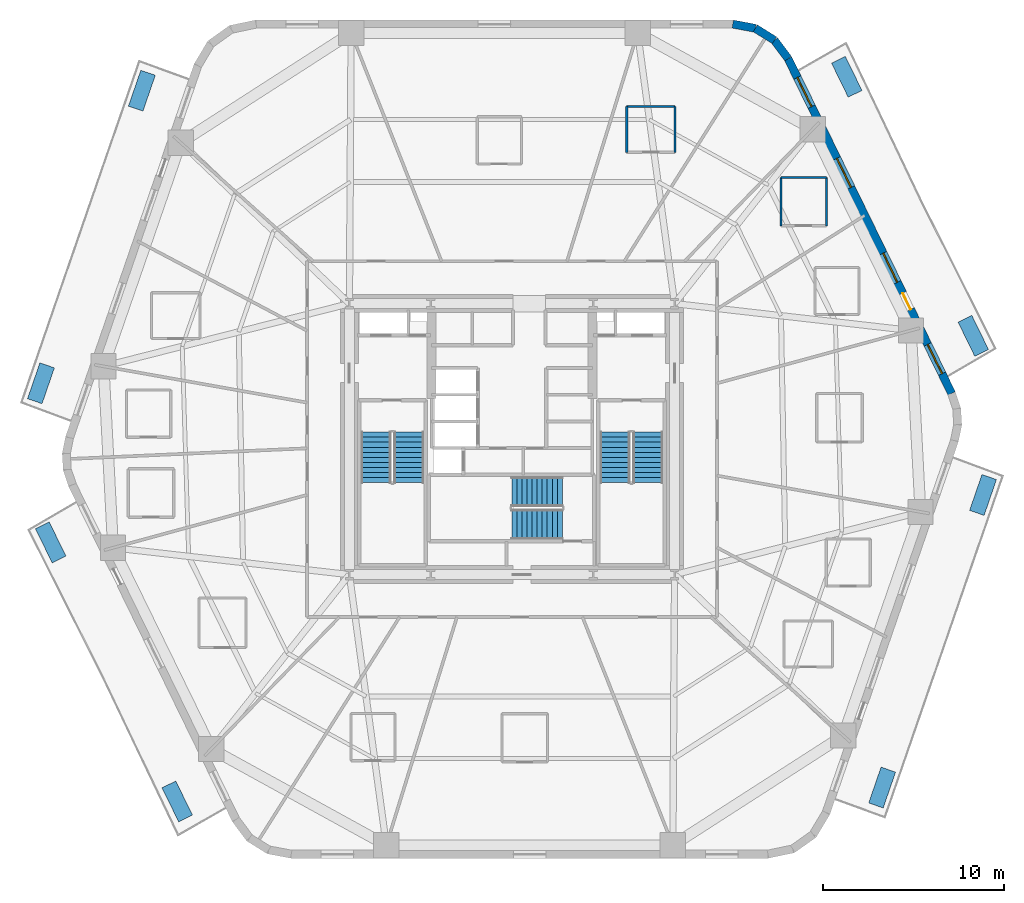
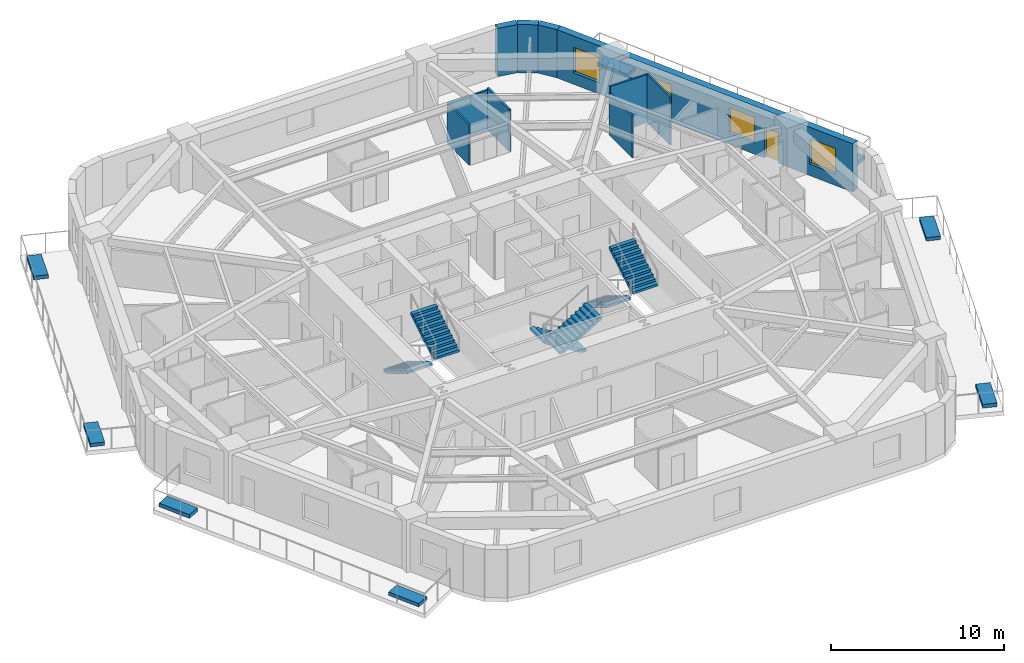
# One storey, part 7 of 10: 10 walls, 8 discrete accessories, 6 stair flights, 4 windows, 1 door, 5 openings, 3 elements without a shape of their own.
"""IFC4 building model written with IfcOpenShell, lengths in metres."""

from ifc_helpers import new_model, si_unit, direction, frame, frame_2d, origin, origin_2d, place, context, subcontext, project, spatial, polyline, rectangle, outline, extrude, material, layer, layer_set, type_object, element, fill, aggregate, save


model = new_model("IFC4")

# Units and contexts
model_context = context("Model", 3, precision=1e-05, world=origin(), true_north=direction((0.0, 1.0)))
body_context = subcontext(model_context, "Body", "Model", "MODEL_VIEW")
ifc_project = project(units=[si_unit("LENGTHUNIT", "METRE"), si_unit("AREAUNIT", "SQUARE_METRE"), si_unit("VOLUMEUNIT", "CUBIC_METRE"), si_unit("PLANEANGLEUNIT", "RADIAN"), si_unit("MASSUNIT", "GRAM", prefix="KILO")], contexts=[model_context])

# Site, building, storey
site_placement = place(None, origin())
site = spatial("IfcSite", under=ifc_project, at=site_placement, CompositionType="ELEMENT")
building_placement = place(site_placement, origin())
building = spatial("IfcBuilding", under=site, at=building_placement, Name="Kilnhurst Terrace Hotel", CompositionType="ELEMENT")
storey_placement = place(building_placement, frame((0.0, 0.0, 78.60009765625)))
storey = spatial("IfcBuildingStorey", under=building, at=storey_placement, Name="L18", CompositionType="ELEMENT", Elevation=78.60009765625)

# Walls
ifc_material_1 = material(Name="Precast concrete C40/50", Category="concrete")
ifc_layer_1 = layer(ifc_material_1, 0.449951171875, Name="Precast concrete C40/50")
ifc_layer_set_1 = layer_set([ifc_layer_1], Name="Precast concrete C40/50")
wall_type_1 = type_object("IfcWallType", Name="WL-BRK-450", PredefinedType="SOLIDWALL", material=ifc_layer_set_1)
wall_1_placement = place(storey_placement, frame((15.28369140625, 21.0625, 0.0), z_axis=(0.0, 0.0, 1.0), x_axis=(-0.597595366449, 0.801797841104, 0.0)))
element("IfcWall", 1, at=wall_1_placement, inside=storey, type_object=wall_type_1, Name="L18 Rounded Corner Brick Wall C4.1", PredefinedType="SOLIDWALL", context=body_context, shape_type="SweptSolid", body=[
    extrude(rectangle(XDim=1.2685546875, YDim=0.449951171875, at=frame_2d((0.63427734375, 0.0))), origin(), (0.0, 0.0, 1.0), 3.39990234375),
])
wall_2_placement = place(storey_placement, frame((14.525634765625, 22.07958984375, 0.0), z_axis=(0.0, 0.0, 1.0), x_axis=(-0.848185203596, 0.529699783275, 0.0)))
element("IfcWall", 2, at=wall_2_placement, inside=storey, type_object=wall_type_1, Name="L18 Rounded Corner Brick Wall C4.2", PredefinedType="SOLIDWALL", context=body_context, shape_type="SweptSolid", body=[
    extrude(rectangle(XDim=1.247314453125, YDim=0.449951171875, at=frame_2d((0.62353515625, 0.0))), origin(), (0.0, 0.0, 1.0), 3.39990234375),
])
wall_3_placement = place(storey_placement, frame((13.4677734375, 22.740234375, 0.0), z_axis=(0.0, 0.0, 1.0), x_axis=(-0.982717174228, 0.185113358451, 0.0)))
element("IfcWall", 3, at=wall_3_placement, inside=storey, type_object=wall_type_1, Name="L18 Rounded Corner Brick Wall C4.3", PredefinedType="SOLIDWALL", context=body_context, shape_type="SweptSolid", body=[
    extrude(rectangle(XDim=1.268798828125, YDim=0.449951171875, at=frame_2d((0.63427734375, 0.0))), origin(), (0.0, 0.0, 1.0), 3.39990234375),
])

# Wall, openings, door, windows
wall_4_placement = place(storey_placement, frame((24.335693359375, 2.532470703125, 0.0), z_axis=(0.0, 0.0, 1.0), x_axis=(-0.438931326393, 0.898520612291, 0.0)))
wall_4 = element("IfcWall", 4, at=wall_4_placement, inside=storey, type_object=wall_type_1, Name="L18 Exterior Brick Facade Wall F3", PredefinedType="SOLIDWALL", context=body_context, shape_type="SweptSolid", body=[
    extrude(rectangle(XDim=20.622802734375, YDim=0.449951171875, at=frame_2d((10.3115234375, 0.0))), origin(), (0.0, 0.0, 1.0), 3.39990234375),
])
opening_1_placement = place(wall_4_placement, frame((5.1708984375, 0.0, 0.0)))
opening_1 = element("IfcOpeningElement", 5, at=opening_1_placement, cuts=wall_4, Name="Opening BD-1000", PredefinedType="OPENING", context=body_context, shape_type="SweptSolid", body=[
    extrude(rectangle(XDim=1.0, YDim=2.14990234375, at=frame_2d((0.5, 1.074951171875))), frame((0.0, 0.23486328125, 0.0), z_axis=(0.0, -1.0, 0.0), x_axis=(1.0, 0.0, 0.0)), (0.0, 0.0, 1.0), 0.469970703125),
])
opening_2_placement = place(wall_4_placement, frame((6.842041015625, 0.0, 0.800048828125)))
opening_2 = element("IfcOpeningElement", 6, at=opening_2_placement, cuts=wall_4, Name="Opening W-01", PredefinedType="OPENING", context=body_context, shape_type="SweptSolid", body=[
    extrude(rectangle(XDim=1.800048828125, YDim=1.800048828125, at=frame_2d((0.89990234375, 0.89990234375))), frame((0.0, 0.23486328125, 0.0), z_axis=(0.0, -1.0, 0.0), x_axis=(1.0, 0.0, 0.0)), (0.0, 0.0, 1.0), 0.469970703125),
])
opening_3_placement = place(wall_4_placement, frame((12.68310546875, 0.0, 0.800048828125)))
opening_3 = element("IfcOpeningElement", 7, at=opening_3_placement, cuts=wall_4, Name="Opening W-01", PredefinedType="OPENING", context=body_context, shape_type="SweptSolid", body=[
    extrude(rectangle(XDim=1.800048828125, YDim=1.800048828125, at=frame_2d((0.89990234375, 0.89990234375))), frame((0.0, 0.23486328125, 0.0), z_axis=(0.0, -1.0, 0.0), x_axis=(1.0, 0.0, 0.0)), (0.0, 0.0, 1.0), 0.469970703125),
])
opening_4_placement = place(wall_4_placement, frame((17.659912109375, 0.0, 0.800048828125)))
opening_4 = element("IfcOpeningElement", 8, at=opening_4_placement, cuts=wall_4, Name="Opening W-01", PredefinedType="OPENING", context=body_context, shape_type="SweptSolid", body=[
    extrude(rectangle(XDim=1.800048828125, YDim=1.800048828125, at=frame_2d((0.89990234375, 0.89990234375))), frame((0.0, 0.23486328125, 0.0), z_axis=(0.0, -1.0, 0.0), x_axis=(1.0, 0.0, 0.0)), (0.0, 0.0, 1.0), 0.469970703125),
])
opening_5_placement = place(wall_4_placement, frame((1.214111328125, 0.0, 0.800048828125)))
opening_5 = element("IfcOpeningElement", 9, at=opening_5_placement, cuts=wall_4, Name="Opening W-01", PredefinedType="OPENING", context=body_context, shape_type="SweptSolid", body=[
    extrude(rectangle(XDim=1.800048828125, YDim=1.800048828125, at=frame_2d((0.89990234375, 0.89990234375))), frame((0.0, 0.23486328125, 0.0), z_axis=(0.0, -1.0, 0.0), x_axis=(1.0, 0.0, 0.0)), (0.0, 0.0, 1.0), 0.469970703125),
])
ifc_material_2 = material(Name="Thermally Broken Bronze Aluminium Alloy 6063-T6 and Laminated Glass", Category="aluminium")
door_type = type_object("IfcDoorType", Name="DR-EXT-BAL-1000", OperationType="NOTDEFINED", PredefinedType="DOOR", material=ifc_material_2)
door_placement = place(opening_1_placement, origin())
door = element("IfcDoor", 10, at=door_placement, inside=storey, type_object=door_type, Name="L18 Planted Balcony Door BAL-L1B", OperationType="SINGLE_SWING_LEFT", OverallHeight=2.14990234375, OverallWidth=1.0, PredefinedType="DOOR", context=body_context, shape_type="SweptSolid", body=[
    extrude(rectangle(XDim=1.0, YDim=2.14990234375, at=frame_2d((0.5, 1.074951171875))), frame((0.0, 0.02490234375, 0.0), z_axis=(0.0, -1.0, 0.0), x_axis=(1.0, 0.0, 0.0)), (0.0, 0.0, 1.0), 0.050048828125),
])
fill(opening_1, door)
ifc_material_3 = material(Name="Thermally Broken Bronze Aluminium Alloy 6063-T6 and Low-E Glass", Category="aluminium")
window_type = type_object("IfcWindowType", Name="WIN-1800X1800", PartitioningType="SINGLE_PANEL", PredefinedType="WINDOW", material=ifc_material_3)
window_1_placement = place(opening_2_placement, origin())
window_1 = element("IfcWindow", 11, at=window_1_placement, inside=storey, type_object=window_type, Name="L18 Deep-Set Masonry Window F3.1", OverallHeight=1.800048828125, OverallWidth=1.800048828125, PartitioningType="SINGLE_PANEL", PredefinedType="WINDOW", context=body_context, shape_type="SweptSolid", body=[
    extrude(rectangle(XDim=1.800048828125, YDim=1.800048828125, at=frame_2d((0.89990234375, 0.89990234375))), frame((0.0, 0.030029296875, 0.0), z_axis=(0.0, -1.0, 0.0), x_axis=(1.0, 0.0, 0.0)), (0.0, 0.0, 1.0), 0.06005859375),
])
fill(opening_2, window_1)
window_2_placement = place(opening_3_placement, origin())
window_2 = element("IfcWindow", 12, at=window_2_placement, inside=storey, type_object=window_type, Name="L18 Deep-Set Masonry Window F3.2", OverallHeight=1.800048828125, OverallWidth=1.800048828125, PartitioningType="SINGLE_PANEL", PredefinedType="WINDOW", context=body_context, shape_type="SweptSolid", body=[
    extrude(rectangle(XDim=1.800048828125, YDim=1.800048828125, at=frame_2d((0.89990234375, 0.89990234375))), frame((0.0, 0.030029296875, 0.0), z_axis=(0.0, -1.0, 0.0), x_axis=(1.0, 0.0, 0.0)), (0.0, 0.0, 1.0), 0.06005859375),
])
fill(opening_3, window_2)
window_3_placement = place(opening_4_placement, origin())
window_3 = element("IfcWindow", 13, at=window_3_placement, inside=storey, type_object=window_type, Name="L18 Deep-Set Masonry Window F3.3", OverallHeight=1.800048828125, OverallWidth=1.800048828125, PartitioningType="SINGLE_PANEL", PredefinedType="WINDOW", context=body_context, shape_type="SweptSolid", body=[
    extrude(rectangle(XDim=1.800048828125, YDim=1.800048828125, at=frame_2d((0.89990234375, 0.89990234375))), frame((0.0, 0.030029296875, 0.0), z_axis=(0.0, -1.0, 0.0), x_axis=(1.0, 0.0, 0.0)), (0.0, 0.0, 1.0), 0.06005859375),
])
fill(opening_4, window_3)
window_4_placement = place(opening_5_placement, origin())
window_4 = element("IfcWindow", 14, at=window_4_placement, inside=storey, type_object=window_type, Name="L18 Deep-Set Masonry Window F3.4", OverallHeight=1.800048828125, OverallWidth=1.800048828125, PartitioningType="SINGLE_PANEL", PredefinedType="WINDOW", context=body_context, shape_type="SweptSolid", body=[
    extrude(rectangle(XDim=1.800048828125, YDim=1.800048828125, at=frame_2d((0.89990234375, 0.89990234375))), frame((0.0, 0.030029296875, 0.0), z_axis=(0.0, -1.0, 0.0), x_axis=(1.0, 0.0, 0.0)), (0.0, 0.0, 1.0), 0.06005859375),
])
fill(opening_5, window_4)

# Walls
ifc_material_4 = material(Name="120 mm Moisture-Resistant Tile-Backed Bathroom Partition")
ifc_layer_2 = layer(ifc_material_4, 0.1201171875, Name="120 mm Moisture-Resistant Tile-Backed Bathroom Partition")
ifc_layer_set_2 = layer_set([ifc_layer_2], Name="120 mm Moisture-Resistant Tile-Backed Bathroom Partition")
wall_type_2 = type_object("IfcWallType", Name="WL-PART-120", PredefinedType="PARTITIONING", material=ifc_layer_set_2)
wall_5_placement = place(storey_placement, frame((17.40087890625, 11.80908203125, 0.0), z_axis=(0.0, 0.0, 1.0), x_axis=(0.0, 1.0, 0.0)))
element("IfcWall", 15, at=wall_5_placement, inside=storey, type_object=wall_type_2, Name="L18 Interior Wall WL-L18-BTH-02-2", PredefinedType="PARTITIONING", context=body_context, shape_type="SweptSolid", body=[
    extrude(rectangle(XDim=2.679931640625, YDim=0.1201171875, at=frame_2d((1.33984375, 0.0))), origin(), (0.0, 0.0, 1.0), 3.39990234375),
])
wall_6_placement = place(storey_placement, frame((17.40087890625, 14.489013671875, 0.0), z_axis=(0.0, 0.0, 1.0), x_axis=(-1.0, 0.0, 0.0)))
element("IfcWall", 16, at=wall_6_placement, inside=storey, type_object=wall_type_2, Name="L18 Interior Wall WL-L18-BTH-02-3", PredefinedType="PARTITIONING", context=body_context, shape_type="SweptSolid", body=[
    extrude(rectangle(XDim=2.519775390625, YDim=0.1201171875, at=frame_2d((1.259765625, 0.0))), origin(), (0.0, 0.0, 1.0), 3.39990234375),
])
wall_7_placement = place(storey_placement, frame((14.881103515625, 14.489013671875, 0.0), z_axis=(0.0, 0.0, 1.0), x_axis=(0.0, -1.0, 0.0)))
element("IfcWall", 17, at=wall_7_placement, inside=storey, type_object=wall_type_2, Name="L18 Interior Wall WL-L18-BTH-02-4", PredefinedType="PARTITIONING", context=body_context, shape_type="SweptSolid", body=[
    extrude(rectangle(XDim=2.679931640625, YDim=0.1201171875, at=frame_2d((1.33984375, 0.0))), origin(), (0.0, 0.0, 1.0), 2.926513671875),
])
wall_8_placement = place(storey_placement, frame((9.031005859375, 15.876953125, 0.0), z_axis=(0.0, 0.0, 1.0), x_axis=(0.0, 1.0, 0.0)))
element("IfcWall", 18, at=wall_8_placement, inside=storey, type_object=wall_type_2, Name="L18 Interior Wall WL-L18-BTH-04-2", PredefinedType="PARTITIONING", context=body_context, shape_type="SweptSolid", body=[
    extrude(rectangle(XDim=2.5400390625, YDim=0.1201171875, at=frame_2d((1.27001953125, 0.0))), origin(), (0.0, 0.0, 1.0), 2.97216796875),
])
wall_9_placement = place(storey_placement, frame((9.031005859375, 18.4169921875, 0.0), z_axis=(0.0, 0.0, 1.0), x_axis=(-1.0, 0.0, 0.0)))
element("IfcWall", 19, at=wall_9_placement, inside=storey, type_object=wall_type_2, Name="L18 Interior Wall WL-L18-BTH-04-3", PredefinedType="PARTITIONING", context=body_context, shape_type="SweptSolid", body=[
    extrude(rectangle(XDim=2.679931640625, YDim=0.1201171875, at=frame_2d((1.33984375, 0.0))), origin(), (0.0, 0.0, 1.0), 2.83984375),
])
wall_10_placement = place(storey_placement, frame((6.35107421875, 18.4169921875, 0.0), z_axis=(0.0, 0.0, 1.0), x_axis=(0.0, -1.0, 0.0)))
element("IfcWall", 20, at=wall_10_placement, inside=storey, type_object=wall_type_2, Name="L18 Interior Wall WL-L18-BTH-04-4", PredefinedType="PARTITIONING", context=body_context, shape_type="SweptSolid", body=[
    extrude(rectangle(XDim=2.5400390625, YDim=0.1201171875, at=frame_2d((1.27001953125, 0.0))), origin(), (0.0, 0.0, 1.0), 2.84033203125),
])

# Stair, stair flights
ifc_material_5 = material(Name="Concrete C50/60", Category="concrete")
stair_type = type_object("IfcStairType", Name="STR-CORE-1660", PredefinedType="HALF_TURN_STAIR", material=ifc_material_5)
stair_1_placement = place(storey_placement, origin())
stair_1 = element("IfcStair", 21, at=stair_1_placement, inside=storey, type_object=stair_type, Name="L18 ST-1", PredefinedType="HALF_TURN_STAIR")
stair_flight_type = type_object("IfcStairFlightType", Name="FLT-RC-1660", PredefinedType="STRAIGHT", material=ifc_material_5)
stair_flight_1_placement = place(storey_placement, frame((-7.52001953125, 0.389892578125, 0.0), z_axis=(0.0, 0.0, 1.0), x_axis=(0.0, -1.0, 0.0)))
stair_flight_1 = element("IfcStairFlight", 22, at=stair_flight_1_placement, type_object=stair_flight_type, Name="ST-1 flight 1", NumberOfRisers=11, NumberOfTreads=10, PredefinedType="STRAIGHT", RiserHeight=0.168181818, TreadLength=0.28, context=body_context, shape_type="SweptSolid", body=[
    extrude(outline(polyline([(0.0, 0.0), (0.0, 0.168212890625), (0.280029296875, 0.168212890625), (0.280029296875, 0.33642578125), (0.56005859375, 0.33642578125), (0.56005859375, 0.504638671875), (0.840087890625, 0.504638671875), (0.840087890625, 0.672607421875), (1.1201171875, 0.672607421875), (1.1201171875, 0.8408203125), (1.39990234375, 0.8408203125), (1.39990234375, 1.009033203125), (1.679931640625, 1.009033203125), (1.679931640625, 1.17724609375), (1.9599609375, 1.17724609375), (1.9599609375, 1.345458984375), (2.239990234375, 1.345458984375), (2.239990234375, 1.513671875), (2.52001953125, 1.513671875), (2.52001953125, 1.681884765625), (2.800048828125, 1.681884765625), (2.800048828125, 1.85009765625), (2.800048828125, 1.5068359375), (0.291015625, 0.0), (0.0, 0.0)])), frame((0.0, 0.830078125, 0.0), z_axis=(0.0, -1.0, 0.0), x_axis=(1.0, 0.0, 0.0)), (0.0, 0.0, 1.0), 1.659912109375),
])
stair_flight_2_placement = place(storey_placement, frame((-5.7099609375, -2.409912109375, 1.849853515625), z_axis=(0.0, 0.0, 1.0), x_axis=(0.0, 1.0, 0.0)))
stair_flight_2 = element("IfcStairFlight", 23, at=stair_flight_2_placement, type_object=stair_flight_type, Name="ST-1 flight 2", NumberOfRisers=11, NumberOfTreads=10, PredefinedType="STRAIGHT", RiserHeight=0.168181818, TreadLength=0.28, context=body_context, shape_type="SweptSolid", body=[
    extrude(outline(polyline([(0.0, 0.0), (0.0, 0.168212890625), (0.280029296875, 0.168212890625), (0.280029296875, 0.33642578125), (0.56005859375, 0.33642578125), (0.56005859375, 0.504638671875), (0.840087890625, 0.504638671875), (0.840087890625, 0.672607421875), (1.1201171875, 0.672607421875), (1.1201171875, 0.8408203125), (1.39990234375, 0.8408203125), (1.39990234375, 1.009033203125), (1.679931640625, 1.009033203125), (1.679931640625, 1.17724609375), (1.9599609375, 1.17724609375), (1.9599609375, 1.345458984375), (2.239990234375, 1.345458984375), (2.239990234375, 1.513671875), (2.52001953125, 1.513671875), (2.52001953125, 1.681884765625), (2.800048828125, 1.681884765625), (2.800048828125, 1.85009765625), (2.800048828125, 1.5068359375), (0.291015625, 0.0), (0.0, 0.0)])), frame((0.0, 0.830078125, 0.0), z_axis=(0.0, -1.0, 0.0), x_axis=(1.0, 0.0, 0.0)), (0.0, 0.0, 1.0), 1.659912109375),
])
aggregate(stair_1, [stair_flight_1, stair_flight_2])

stair_2_placement = place(storey_placement, origin())
stair_2 = element("IfcStair", 24, at=stair_2_placement, inside=storey, type_object=stair_type, Name="L18 ST-2", PredefinedType="HALF_TURN_STAIR")
stair_flight_3_placement = place(storey_placement, frame((5.7099609375, 0.389892578125, 0.0), z_axis=(0.0, 0.0, 1.0), x_axis=(0.0, -1.0, 0.0)))
stair_flight_3 = element("IfcStairFlight", 25, at=stair_flight_3_placement, type_object=stair_flight_type, Name="ST-2 flight 1", NumberOfRisers=11, NumberOfTreads=10, PredefinedType="STRAIGHT", RiserHeight=0.168181818, TreadLength=0.28, context=body_context, shape_type="SweptSolid", body=[
    extrude(outline(polyline([(0.0, 0.0), (0.0, 0.168212890625), (0.280029296875, 0.168212890625), (0.280029296875, 0.33642578125), (0.56005859375, 0.33642578125), (0.56005859375, 0.504638671875), (0.840087890625, 0.504638671875), (0.840087890625, 0.672607421875), (1.1201171875, 0.672607421875), (1.1201171875, 0.8408203125), (1.39990234375, 0.8408203125), (1.39990234375, 1.009033203125), (1.679931640625, 1.009033203125), (1.679931640625, 1.17724609375), (1.9599609375, 1.17724609375), (1.9599609375, 1.345458984375), (2.239990234375, 1.345458984375), (2.239990234375, 1.513671875), (2.52001953125, 1.513671875), (2.52001953125, 1.681884765625), (2.800048828125, 1.681884765625), (2.800048828125, 1.85009765625), (2.800048828125, 1.5068359375), (0.291015625, 0.0), (0.0, 0.0)])), frame((0.0, 0.830078125, 0.0), z_axis=(0.0, -1.0, 0.0), x_axis=(1.0, 0.0, 0.0)), (0.0, 0.0, 1.0), 1.659912109375),
])
stair_flight_4_placement = place(storey_placement, frame((7.52001953125, -2.409912109375, 1.849853515625), z_axis=(0.0, 0.0, 1.0), x_axis=(0.0, 1.0, 0.0)))
stair_flight_4 = element("IfcStairFlight", 26, at=stair_flight_4_placement, type_object=stair_flight_type, Name="ST-2 flight 2", NumberOfRisers=11, NumberOfTreads=10, PredefinedType="STRAIGHT", RiserHeight=0.168181818, TreadLength=0.28, context=body_context, shape_type="SweptSolid", body=[
    extrude(outline(polyline([(0.0, 0.0), (0.0, 0.168212890625), (0.280029296875, 0.168212890625), (0.280029296875, 0.33642578125), (0.56005859375, 0.33642578125), (0.56005859375, 0.504638671875), (0.840087890625, 0.504638671875), (0.840087890625, 0.672607421875), (1.1201171875, 0.672607421875), (1.1201171875, 0.8408203125), (1.39990234375, 0.8408203125), (1.39990234375, 1.009033203125), (1.679931640625, 1.009033203125), (1.679931640625, 1.17724609375), (1.9599609375, 1.17724609375), (1.9599609375, 1.345458984375), (2.239990234375, 1.345458984375), (2.239990234375, 1.513671875), (2.52001953125, 1.513671875), (2.52001953125, 1.681884765625), (2.800048828125, 1.681884765625), (2.800048828125, 1.85009765625), (2.800048828125, 1.5068359375), (0.291015625, 0.0), (0.0, 0.0)])), frame((0.0, 0.830078125, 0.0), z_axis=(0.0, -1.0, 0.0), x_axis=(1.0, 0.0, 0.0)), (0.0, 0.0, 1.0), 1.659912109375),
])
aggregate(stair_2, [stair_flight_3, stair_flight_4])

stair_3_placement = place(storey_placement, origin())
stair_3 = element("IfcStair", 27, at=stair_3_placement, inside=storey, type_object=stair_type, Name="L18 ST-3", PredefinedType="HALF_TURN_STAIR")
stair_flight_5_placement = place(storey_placement, frame((2.7900390625, -2.909912109375, 0.0), z_axis=(0.0, 0.0, 1.0), x_axis=(-1.0, 0.0, 0.0)))
stair_flight_5 = element("IfcStairFlight", 28, at=stair_flight_5_placement, type_object=stair_flight_type, Name="ST-3 flight 1", NumberOfRisers=11, NumberOfTreads=10, PredefinedType="STRAIGHT", RiserHeight=0.168181818, TreadLength=0.28, context=body_context, shape_type="SweptSolid", body=[
    extrude(outline(polyline([(0.0, 0.0), (0.0, 0.168212890625), (0.280029296875, 0.168212890625), (0.280029296875, 0.33642578125), (0.56005859375, 0.33642578125), (0.56005859375, 0.504638671875), (0.840087890625, 0.504638671875), (0.840087890625, 0.672607421875), (1.1201171875, 0.672607421875), (1.1201171875, 0.8408203125), (1.39990234375, 0.8408203125), (1.39990234375, 1.009033203125), (1.679931640625, 1.009033203125), (1.679931640625, 1.17724609375), (1.9599609375, 1.17724609375), (1.9599609375, 1.345458984375), (2.239990234375, 1.345458984375), (2.239990234375, 1.513671875), (2.52001953125, 1.513671875), (2.52001953125, 1.681884765625), (2.800048828125, 1.681884765625), (2.800048828125, 1.85009765625), (2.800048828125, 1.5068359375), (0.291015625, 0.0), (0.0, 0.0)])), frame((0.0, 0.830078125, 0.0), z_axis=(0.0, -1.0, 0.0), x_axis=(1.0, 0.0, 0.0)), (0.0, 0.0, 1.0), 1.659912109375),
])
stair_flight_6_placement = place(storey_placement, frame((-0.010009765625, -4.719970703125, 1.849853515625), z_axis=(0.0, 0.0, 1.0), x_axis=(1.0, 0.0, 0.0)))
stair_flight_6 = element("IfcStairFlight", 29, at=stair_flight_6_placement, type_object=stair_flight_type, Name="ST-3 flight 2", NumberOfRisers=11, NumberOfTreads=10, PredefinedType="STRAIGHT", RiserHeight=0.168181818, TreadLength=0.28, context=body_context, shape_type="SweptSolid", body=[
    extrude(outline(polyline([(0.0, 0.0), (0.0, 0.168212890625), (0.280029296875, 0.168212890625), (0.280029296875, 0.33642578125), (0.56005859375, 0.33642578125), (0.56005859375, 0.504638671875), (0.840087890625, 0.504638671875), (0.840087890625, 0.672607421875), (1.1201171875, 0.672607421875), (1.1201171875, 0.8408203125), (1.39990234375, 0.8408203125), (1.39990234375, 1.009033203125), (1.679931640625, 1.009033203125), (1.679931640625, 1.17724609375), (1.9599609375, 1.17724609375), (1.9599609375, 1.345458984375), (2.239990234375, 1.345458984375), (2.239990234375, 1.513671875), (2.52001953125, 1.513671875), (2.52001953125, 1.681884765625), (2.800048828125, 1.681884765625), (2.800048828125, 1.85009765625), (2.800048828125, 1.5068359375), (0.291015625, 0.0), (0.0, 0.0)])), frame((0.0, 0.830078125, 0.0), z_axis=(0.0, -1.0, 0.0), x_axis=(1.0, 0.0, 0.0)), (0.0, 0.0, 1.0), 1.659912109375),
])
aggregate(stair_3, [stair_flight_5, stair_flight_6])

# Discrete accessories
ifc_material_6 = material(Name="Precast Concrete C40/50 Shrub Planter", Category="concrete")
discrete_accessory_type_1 = type_object("IfcDiscreteAccessoryType", Name="PLN-SHRUB-240", PredefinedType="USERDEFINED", material=ifc_material_6)
for number, where, z_axis, x_axis, name in (
    (30, (26.073486328125, -3.09130859375, 0.0), (0.0, 0.0, 1.0), (0.326063182175, 0.94534797891, 0.0), "L18 Structural Tree Planter Box PLANTER BAL-L1A.2"),
    (31, (18.52978515625, 20.05615234375, 0.0), (0.0, 0.0, 1.0), (-0.438935789176, 0.898518432188, 0.0), "L18 Structural Tree Planter Box PLANTER BAL-L1B.2"),
    (32, (-26.073486328125, 3.09130859375, 0.0), (0.0, 0.0, 1.0), (-0.326063182175, -0.94534797891, 0.0), "L18 Structural Tree Planter Box PLANTER BAL-L2A.2"),
    (33, (-18.52978515625, -20.05615234375, 0.0), (0.0, 0.0, 1.0), (0.438935789176, -0.898518432188, 0.0), "L18 Structural Tree Planter Box PLANTER BAL-L2B.2"),
):
    element("IfcDiscreteAccessory", number, at=place(storey_placement, frame(where, z_axis=z_axis, x_axis=x_axis)), inside=storey, type_object=discrete_accessory_type_1, Name=name, ObjectType="PLANTER", PredefinedType="USERDEFINED", context=body_context, shape_type="SweptSolid", body=[
        extrude(rectangle(XDim=2.10009765625, YDim=0.85009765625, at=origin_2d()), origin(), (0.0, 0.0, 1.0), 0.239990234375),
    ])
ifc_material_7 = material(Name="Precast Concrete C40/50 Tree Planter", Category="concrete")
discrete_accessory_type_2 = type_object("IfcDiscreteAccessoryType", Name="PLN-TREE-260", PredefinedType="USERDEFINED", material=ifc_material_7)
for number, where, z_axis, x_axis, name in (
    (34, (20.488037109375, -19.285888671875, 0.0), (0.0, 0.0, 1.0), (0.326063182175, 0.94534797891, 0.0), "L18 Structural Tree Planter Box PLANTER BAL-L1A.1"),
    (35, (25.534423828125, 5.717041015625, 0.0), (0.0, 0.0, 1.0), (-0.438935789176, 0.898518432188, 0.0), "L18 Structural Tree Planter Box PLANTER BAL-L1B.1"),
    (36, (-20.488037109375, 19.285888671875, 0.0), (0.0, 0.0, 1.0), (-0.326063182175, -0.94534797891, 0.0), "L18 Structural Tree Planter Box PLANTER BAL-L2A.1"),
    (37, (-25.534423828125, -5.717041015625, 0.0), (0.0, 0.0, 1.0), (0.438935789176, -0.898518432188, 0.0), "L18 Structural Tree Planter Box PLANTER BAL-L2B.1"),
):
    element("IfcDiscreteAccessory", number, at=place(storey_placement, frame(where, z_axis=z_axis, x_axis=x_axis)), inside=storey, type_object=discrete_accessory_type_2, Name=name, ObjectType="PLANTER", PredefinedType="USERDEFINED", context=body_context, shape_type="SweptSolid", body=[
        extrude(rectangle(XDim=2.10009765625, YDim=0.85009765625, at=origin_2d()), origin(), (0.0, 0.0, 1.0), 0.260009765625),
    ])

save(model, "model.ifc")
